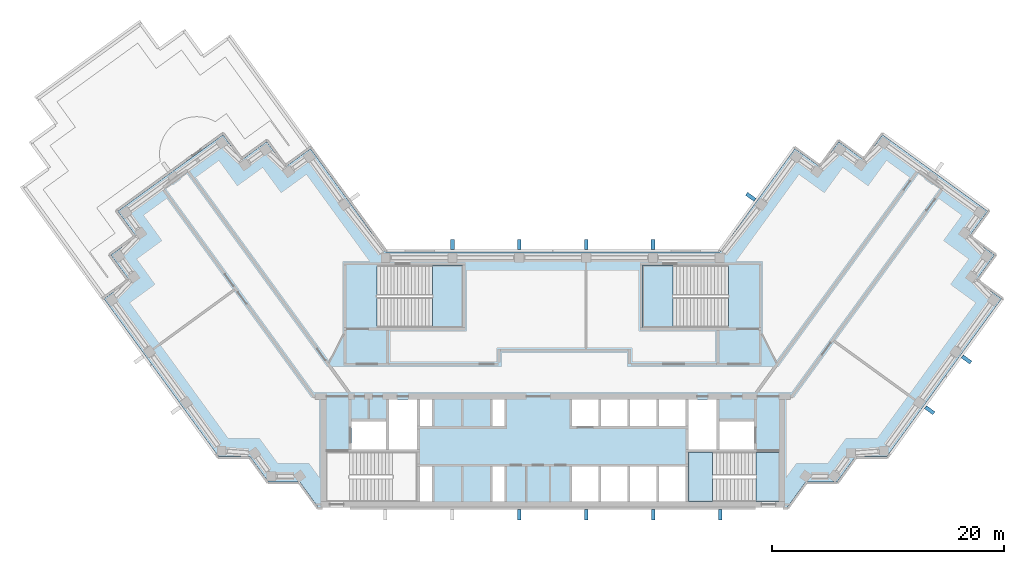
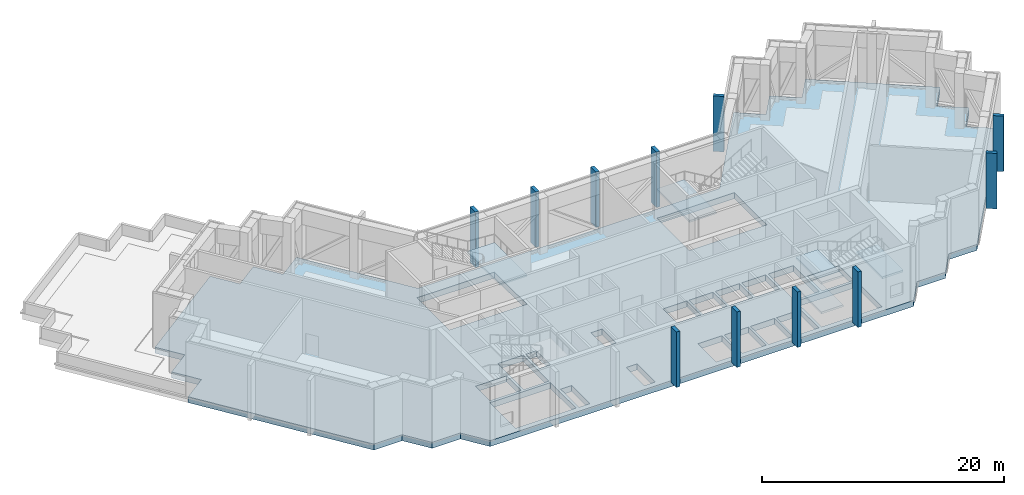
# One storey, part 5 of 15: 11 plates, 6 slabs, 3 elements without a shape of their own.
"""IFC4 building model written with IfcOpenShell, lengths in metres."""

from ifc_helpers import new_model, si_unit, direction, frame, origin, origin_2d, place, context, subcontext, project, spatial, polyline, rectangle, outline, extrude, material, layer, layer_set, type_object, element, aggregate, save


model = new_model("IFC4")

# Units and contexts
model_context = context("Model", 3, precision=1e-05, world=origin(), true_north=direction((0.0, 1.0)))
body_context = subcontext(model_context, "Body", "Model", "MODEL_VIEW")
ifc_project = project(units=[si_unit("LENGTHUNIT", "METRE"), si_unit("AREAUNIT", "SQUARE_METRE"), si_unit("VOLUMEUNIT", "CUBIC_METRE"), si_unit("PLANEANGLEUNIT", "RADIAN"), si_unit("MASSUNIT", "GRAM", prefix="KILO")], contexts=[model_context])

# Site, building, storey
site_placement = place(None, origin())
site = spatial("IfcSite", under=ifc_project, at=site_placement, CompositionType="ELEMENT")
building_placement = place(site_placement, origin())
building = spatial("IfcBuilding", under=site, at=building_placement, Name="Quipu Civic Tower", CompositionType="ELEMENT")
storey_placement = place(building_placement, frame((0.0, 0.0, 242.0)))
storey = spatial("IfcBuildingStorey", under=building, at=storey_placement, Name="L57", CompositionType="ELEMENT", Elevation=242.0)

# Slab
ifc_material_1 = material(Name="Concrete C40/50", Category="concrete")
ifc_layer_1 = layer(ifc_material_1, 0.60009765625)
ifc_layer_set_1 = layer_set([ifc_layer_1], Name="Concrete C40/50")
slab_type_1 = type_object("IfcSlabType", Name="Floor slab 600 C40/50", PredefinedType="FLOOR", material=ifc_layer_set_1)
slab_1_placement = place(storey_placement, frame((0.0, 0.0, -0.60009765625)))
element("IfcSlab", 1, at=slab_1_placement, inside=storey, type_object=slab_type_1, Name="Floor slab L57", PredefinedType="FLOOR", context=body_context, shape_type="SweptSolid", body=[
    extrude(outline(polyline([(20.860107421875, 19.89501953125), (23.0400390625, 18.31005859375), (24.6298828125, 20.4951171875), (26.81494140625, 18.905029296875), (28.39990234375, 21.090087890625), (37.4599609375, 14.5048828125), (35.875, 12.320068359375), (38.06005859375, 10.735107421875), (36.469970703125, 8.550048828125), (38.655029296875, 6.965087890625), (28.780029296875, -6.6298828125), (26.080078125, -6.6298828125), (24.489990234375, -8.81494140625), (21.7900390625, -8.81494140625), (20.205078125, -11.0), (-20.205078125, -11.0), (-21.7900390625, -8.81494140625), (-24.489990234375, -8.81494140625), (-26.080078125, -6.6298828125), (-28.780029296875, -6.6298828125), (-38.655029296875, 6.965087890625), (-36.469970703125, 8.550048828125), (-38.06005859375, 10.735107421875), (-35.875, 12.320068359375), (-37.4599609375, 14.5048828125), (-28.39990234375, 21.090087890625), (-26.81494140625, 18.905029296875), (-24.6298828125, 20.4951171875), (-23.0400390625, 18.31005859375), (-20.860107421875, 19.89501953125), (-14.39501953125, 11.0), (14.39501953125, 11.0), (20.860107421875, 19.89501953125)]), holes=[polyline([(-11.449951171875, -7.5), (-11.449951171875, -10.5), (-10.39990234375, -10.5), (-10.39990234375, -7.5), (-11.449951171875, -7.5)]), polyline([(-5.199951171875, -7.5), (-5.199951171875, -10.5), (-4.14990234375, -10.5), (-4.14990234375, -7.5), (-5.199951171875, -7.5)]), polyline([(1.64990234375, -7.5), (1.64990234375, -10.5), (3.949951171875, -10.5), (3.949951171875, -7.5), (1.64990234375, -7.5)]), polyline([(-11.705078125, -10.4951171875), (-11.705078125, -6.2548828125), (-17.4951171875, -6.2548828125), (-17.4951171875, -10.4951171875), (-11.705078125, -10.4951171875)]), polyline([(-14.35009765625, -3.60009765625), (-17.35009765625, -3.60009765625), (-17.35009765625, -6.0), (-14.35009765625, -6.0), (-14.35009765625, -3.60009765625)]), polyline([(-14.10009765625, -1.699951171875), (-14.10009765625, -6.0), (-11.699951171875, -6.0), (-11.699951171875, -1.699951171875), (-14.10009765625, -1.699951171875)]), polyline([(-11.449951171875, -1.699951171875), (-11.449951171875, -4.0), (-10.39990234375, -4.0), (-10.39990234375, -1.699951171875), (-11.449951171875, -1.699951171875)]), polyline([(-5.199951171875, -1.699951171875), (-5.199951171875, -4.0), (-4.14990234375, -4.0), (-4.14990234375, -1.699951171875), (-5.199951171875, -1.699951171875)]), polyline([(3.949951171875, -1.699951171875), (1.64990234375, -1.699951171875), (1.64990234375, -4.0), (3.949951171875, -4.0), (3.949951171875, -1.699951171875)]), polyline([(-7.7548828125, 4.5048828125), (-7.7548828125, 9.844970703125), (-15.14501953125, 9.844970703125), (-15.14501953125, 4.5048828125), (-7.7548828125, 4.5048828125)]), polyline([(4.14990234375, -7.5), (4.14990234375, -10.5), (6.449951171875, -10.5), (6.449951171875, -7.5), (4.14990234375, -7.5)]), polyline([(6.64990234375, -7.5), (6.64990234375, -10.5), (8.949951171875, -10.5), (8.949951171875, -7.5), (6.64990234375, -7.5)]), polyline([(9.14990234375, -7.5), (9.14990234375, -10.5), (11.449951171875, -10.5), (11.449951171875, -7.5), (9.14990234375, -7.5)]), polyline([(11.705078125, -6.2548828125), (11.705078125, -10.4951171875), (17.4951171875, -10.4951171875), (17.4951171875, -6.2548828125), (11.705078125, -6.2548828125)]), polyline([(17.35009765625, -3.60009765625), (14.35009765625, -3.60009765625), (14.35009765625, -6.0), (17.35009765625, -6.0), (17.35009765625, -3.60009765625)]), polyline([(11.699951171875, -1.699951171875), (11.699951171875, -6.0), (14.10009765625, -6.0), (14.10009765625, -1.699951171875), (11.699951171875, -1.699951171875)]), polyline([(4.14990234375, -1.699951171875), (4.14990234375, -4.0), (6.449951171875, -4.0), (6.449951171875, -1.699951171875), (4.14990234375, -1.699951171875)]), polyline([(6.64990234375, -1.699951171875), (6.64990234375, -4.0), (8.949951171875, -4.0), (8.949951171875, -1.699951171875), (6.64990234375, -1.699951171875)]), polyline([(11.449951171875, -1.699951171875), (9.14990234375, -1.699951171875), (9.14990234375, -4.0), (11.449951171875, -4.0), (11.449951171875, -1.699951171875)]), polyline([(7.7548828125, 9.844970703125), (7.7548828125, 4.5048828125), (15.14501953125, 4.5048828125), (15.14501953125, 9.844970703125), (7.7548828125, 9.844970703125)])]), origin(), (0.0, 0.0, 1.0), 0.60009765625),
])

# Plates
ifc_material_2 = material(Name="Precast concrete C40/50", Category="concrete")
plate_type = type_object("IfcPlateType", Name="Precast fin F3", PredefinedType="SHEET", material=ifc_material_2)
for number, where, z_axis, x_axis, name in (
    (2, (-2.885986328125, -11.637939453125, 0.0), (0.0, 0.0, 1.0), (1.0, 0.0, 0.0), "Precast fin F3 L57.19.3"),
    (3, (2.885986328125, -11.637939453125, 0.0), (0.0, 0.0, 1.0), (1.0, 0.0, 0.0), "Precast fin F3 L57.19.4"),
    (4, (8.658935546875, -11.637939453125, 0.0), (0.0, 0.0, 1.0), (1.0, 0.0, 0.0), "Precast fin F3 L57.19.5"),
    (5, (14.431884765625, -11.637939453125, 0.0), (0.0, 0.0, 1.0), (1.0, 0.0, 0.0), "Precast fin F3 L57.19.6"),
    (6, (32.468994140625, -2.6376953125, 0.0), (0.0, 0.0, 1.0), (0.587786668783, 0.809015965233, 0.0), "Precast fin F3 L57.25.1"),
    (7, (35.64306640625, 1.73095703125, 0.0), (0.0, 0.0, 1.0), (0.587786668783, 0.809015965233, 0.0), "Precast fin F3 L57.25.2"),
    (8, (17.05322265625, 15.743896484375, 0.0), (0.0, 0.0, 1.0), (-0.58778443384, -0.809017589015, 0.0), "Precast fin F3 L57.35.1"),
    (9, (8.63720703125, 11.637939453125, 0.0), (0.0, 0.0, 1.0), (-1.0, 0.0, 0.0), "Precast fin F3 L57.36.1"),
    (10, (2.879150390625, 11.637939453125, 0.0), (0.0, 0.0, 1.0), (-1.0, 0.0, 0.0), "Precast fin F3 L57.36.2"),
    (11, (-2.87890625, 11.637939453125, 0.0), (0.0, 0.0, 1.0), (-1.0, 0.0, 0.0), "Precast fin F3 L57.36.3"),
    (12, (-8.63671875, 11.637939453125, 0.0), (0.0, 0.0, 1.0), (-1.0, 0.0, 0.0), "Precast fin F3 L57.36.4"),
):
    element("IfcPlate", number, at=place(storey_placement, frame(where, z_axis=z_axis, x_axis=x_axis)), inside=storey, type_object=plate_type, Name=name, PredefinedType="SHEET", context=body_context, shape_type="SweptSolid", body=[
        extrude(rectangle(XDim=0.320068359375, YDim=0.89990234375, at=origin_2d()), origin(), (0.0, 0.0, 1.0), 5.60009765625),
    ])

# Stair, slabs
ifc_material_3 = material(Name="Concrete C40/50", Category="concrete")
stair_type_1 = type_object("IfcStairType", Name="Half turn stair 2000", PredefinedType="HALF_TURN_STAIR", material=ifc_material_3)
stair_1_placement = place(storey_placement, origin())
stair_1 = element("IfcStair", 13, at=stair_1_placement, inside=storey, type_object=stair_type_1, Name="Exit stair 2", PredefinedType="HALF_TURN_STAIR")
ifc_material_4 = material(Name="Concrete C40/50", Category="concrete")
ifc_layer_2 = layer(ifc_material_4, 0.199951171875)
ifc_layer_set_2 = layer_set([ifc_layer_2], Name="Concrete C40/50")
slab_type_2 = type_object("IfcSlabType", Name="Stair landing 200", PredefinedType="LANDING", material=ifc_layer_set_2)
slab_2_placement = place(storey_placement, frame((0.0, 0.0, 1.300048828125)))
slab_2 = element("IfcSlab", 14, at=slab_2_placement, type_object=slab_type_2, Name="ST-2 landing 1", PredefinedType="LANDING", context=body_context, shape_type="SweptSolid", body=[
    extrude(outline(polyline([(13.780029296875, -6.25), (11.699951171875, -6.25), (11.699951171875, -10.5), (13.780029296875, -10.5), (13.780029296875, -6.25)])), origin(), (0.0, 0.0, 1.0), 0.199951171875),
])
slab_3_placement = place(storey_placement, frame((0.0, 0.0, 2.800048828125)))
slab_3 = element("IfcSlab", 15, at=slab_3_placement, type_object=slab_type_2, Name="ST-2 landing 2", PredefinedType="LANDING", context=body_context, shape_type="SweptSolid", body=[
    extrude(outline(polyline([(19.5, -6.25), (17.5, -6.25), (17.5, -10.5), (19.5, -10.5), (19.5, -6.25)])), origin(), (0.0, 0.0, 1.0), 0.199951171875),
])
slab_4_placement = place(storey_placement, frame((0.0, 0.0, 4.300048828125)))
slab_4 = element("IfcSlab", 16, at=slab_4_placement, type_object=slab_type_2, Name="ST-2 landing 3", PredefinedType="LANDING", context=body_context, shape_type="SweptSolid", body=[
    extrude(outline(polyline([(13.780029296875, -6.25), (11.699951171875, -6.25), (11.699951171875, -10.5), (13.780029296875, -10.5), (13.780029296875, -6.25)])), origin(), (0.0, 0.0, 1.0), 0.199951171875),
])
aggregate(stair_1, [slab_2, slab_3, slab_4])

# Stair, slab
ifc_material_5 = material(Name="Concrete C40/50", Category="concrete")
stair_type_2 = type_object("IfcStairType", Name="Half turn stair 2600", PredefinedType="HALF_TURN_STAIR", material=ifc_material_5)
stair_2_placement = place(storey_placement, origin())
stair_2 = element("IfcStair", 17, at=stair_2_placement, inside=storey, type_object=stair_type_2, Name="Exit stair 3", PredefinedType="HALF_TURN_STAIR")
slab_5_placement = place(storey_placement, frame((0.0, 0.0, 2.800048828125)))
slab_5 = element("IfcSlab", 18, at=slab_5_placement, type_object=slab_type_2, Name="ST-3 landing 1", PredefinedType="LANDING", context=body_context, shape_type="SweptSolid", body=[
    extrude(outline(polyline([(-10.35009765625, 4.5), (-7.75, 4.5), (-7.75, 9.85009765625), (-10.35009765625, 9.85009765625), (-10.35009765625, 4.5)])), origin(), (0.0, 0.0, 1.0), 0.199951171875),
])
aggregate(stair_2, [slab_5])

stair_3_placement = place(storey_placement, origin())
stair_3 = element("IfcStair", 19, at=stair_3_placement, inside=storey, type_object=stair_type_2, Name="Exit stair 4", PredefinedType="HALF_TURN_STAIR")
slab_6_placement = place(storey_placement, frame((0.0, 0.0, 2.800048828125)))
slab_6 = element("IfcSlab", 20, at=slab_6_placement, type_object=slab_type_2, Name="ST-4 landing 1", PredefinedType="LANDING", context=body_context, shape_type="SweptSolid", body=[
    extrude(outline(polyline([(10.35009765625, 9.85009765625), (7.75, 9.85009765625), (7.75, 4.5), (10.35009765625, 4.5), (10.35009765625, 9.85009765625)])), origin(), (0.0, 0.0, 1.0), 0.199951171875),
])
aggregate(stair_3, [slab_6])

save(model, "model.ifc")
